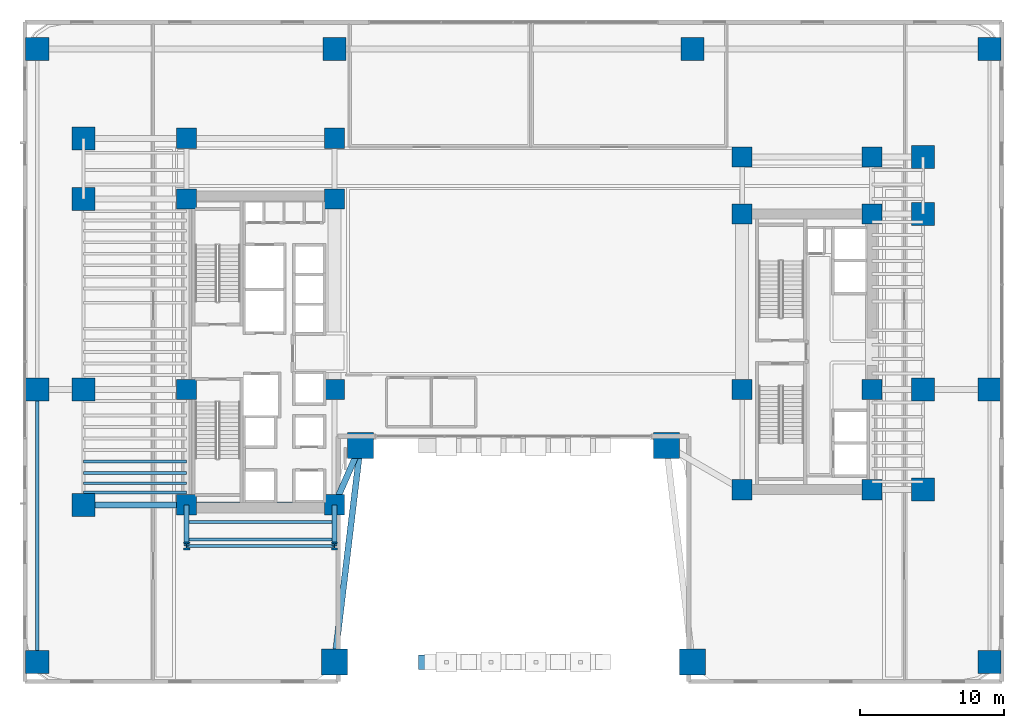
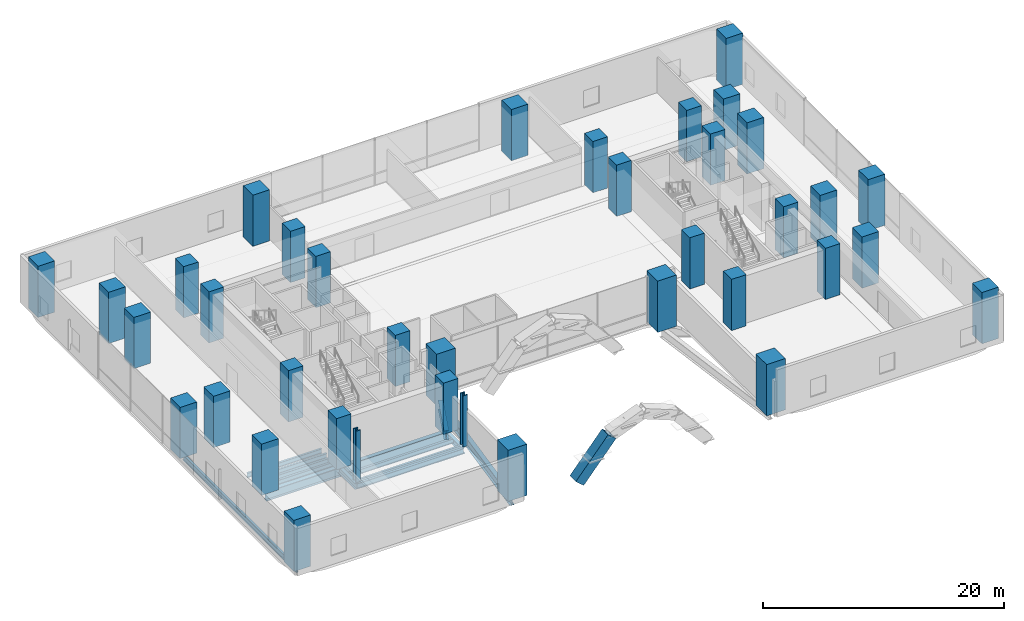
# One storey, part 1 of 39: 38 columns, 14 beams, 1 member.
"""IFC4 building model written with IfcOpenShell, lengths in metres."""

from ifc_helpers import new_model, si_unit, direction, frame, origin, origin_2d, place, context, subcontext, project, spatial, rectangle, hollow_rectangle, i_section, extrude, source, transform, mapped, material, material_profile, profile_set, type_object, element, save


model = new_model("IFC4")

# Units and contexts
model_context = context("Model", 3, precision=1e-05, world=origin(), true_north=direction((0.0, 1.0)))
body_context = subcontext(model_context, "Body", "Model", "MODEL_VIEW")
ifc_project = project(units=[si_unit("LENGTHUNIT", "METRE"), si_unit("AREAUNIT", "SQUARE_METRE"), si_unit("VOLUMEUNIT", "CUBIC_METRE"), si_unit("PLANEANGLEUNIT", "RADIAN"), si_unit("MASSUNIT", "GRAM", prefix="KILO")], contexts=[model_context])

# Site, building, storey
site_placement = place(None, origin())
site = spatial("IfcSite", under=ifc_project, at=site_placement, CompositionType="ELEMENT")
building_placement = place(site_placement, origin())
building = spatial("IfcBuilding", under=site, at=building_placement, Name="Valdorenza Pilgrim Sanctuary Tower", CompositionType="ELEMENT")
storey_placement = place(building_placement, frame((0.0, 0.0, 15.60009765625)))
storey = spatial("IfcBuildingStorey", under=building, at=storey_placement, Name="L03", CompositionType="ELEMENT", Elevation=15.60009765625)

# Columns
ifc_material_1 = material(Name="Concrete C60/75", Category="concrete")
ifc_material_profile_1 = material_profile(ifc_material_1, rectangle(XDim=1.60009765625, YDim=1.60009765625, at=origin_2d()), Name="RC 1600x1600")
ifc_profile_set_1 = profile_set([ifc_material_profile_1], Name="Concrete C60/75")
column_type_1 = type_object("IfcColumnType", Name="COL-POD-1600", PredefinedType="COLUMN", material=ifc_profile_set_1)
shared_shape_1 = source(origin(), body_context, "Body", "SweptSolid", [
    extrude(rectangle(XDim=1.60009765625, YDim=1.60009765625, at=origin_2d()), origin(), (0.0, 0.0, 1.0), 5.199951171875),
])
for number, where, z_axis, x_axis, name in (
    (1, (-29.800048828125, -10.60009765625, 0.0), (0.0, 0.0, 1.0), (1.0, 0.0, 0.0), "L03 Perimeter Column WA-W-S1"),
    (2, (-29.800048828125, -2.60009765625, 0.0), (0.0, 0.0, 1.0), (1.0, 0.0, 0.0), "L03 Perimeter Column WA-W-M0"),
    (3, (-29.800048828125, 10.60009765625, 0.0), (0.0, 0.0, 1.0), (1.0, 0.0, 0.0), "L03 Perimeter Column WA-W-N1"),
    (4, (-29.800048828125, 14.800048828125, 0.0), (0.0, 0.0, 1.0), (1.0, 0.0, 0.0), "L03 Perimeter Column WA-W-N2"),
    (5, (28.39990234375, -9.550048828125, 0.0), (0.0, 0.0, 1.0), (1.0, 0.0, 0.0), "L03 Perimeter Column WB-E-S1"),
    (6, (28.39990234375, -2.60009765625, 0.0), (0.0, 0.0, 1.0), (1.0, 0.0, 0.0), "L03 Perimeter Column WB-E-M0"),
    (7, (28.39990234375, 9.550048828125, 0.0), (0.0, 0.0, 1.0), (1.0, 0.0, 0.0), "L03 Perimeter Column WB-E-N1"),
    (8, (28.39990234375, 13.5, 0.0), (0.0, 0.0, 1.0), (1.0, 0.0, 0.0), "L03 Perimeter Column WB-E-N2"),
    (9, (-33.0, -21.5, 0.0), (0.0, 0.0, 1.0), (1.0, 0.0, 0.0), "L03 Perimeter Column POD-SW"),
    (10, (-33.0, -2.60009765625, 0.0), (0.0, 0.0, 1.0), (1.0, 0.0, 0.0), "L03 Perimeter Column POD-MW"),
    (11, (-33.0, 21.0, 0.0), (0.0, 0.0, 1.0), (1.0, 0.0, 0.0), "L03 Perimeter Column POD-NW"),
    (12, (-12.39990234375, 21.0, 0.0), (0.0, 0.0, 1.0), (1.0, 0.0, 0.0), "L03 Perimeter Column POD-NCW"),
    (13, (12.39990234375, 21.0, 0.0), (0.0, 0.0, 1.0), (1.0, 0.0, 0.0), "L03 Perimeter Column POD-NCE"),
    (14, (33.0, 21.0, 0.0), (0.0, 0.0, 1.0), (1.0, 0.0, 0.0), "L03 Perimeter Column POD-NE"),
    (15, (33.0, -2.60009765625, 0.0), (0.0, 0.0, 1.0), (1.0, 0.0, 0.0), "L03 Perimeter Column POD-ME"),
    (16, (33.0, -21.5, 0.0), (0.0, 0.0, 1.0), (1.0, 0.0, 0.0), "L03 Perimeter Column POD-SE"),
):
    element("IfcColumn", number, at=place(storey_placement, frame(where, z_axis=z_axis, x_axis=x_axis)), inside=storey, type_object=column_type_1, Name=name, PredefinedType="COLUMN", context=body_context, shape_type="MappedRepresentation", body=[
        mapped(shared_shape_1, transform((0.0, 0.0, 0.0), x_axis=(1.0, 0.0, 0.0), y_axis=(0.0, 1.0, 0.0), z_axis=(0.0, 0.0, 1.0), scale=1.0)),
    ])
ifc_material_profile_2 = material_profile(ifc_material_1, rectangle(XDim=1.39990234375, YDim=1.39990234375, at=origin_2d()), Name="RC 1400x1400")
ifc_profile_set_2 = profile_set([ifc_material_profile_2], Name="Concrete C60/75")
column_type_2 = type_object("IfcColumnType", Name="COL-Z1-1400", PredefinedType="COLUMN", material=ifc_profile_set_2)
shared_shape_2 = source(origin(), body_context, "Body", "SweptSolid", [
    extrude(rectangle(XDim=1.39990234375, YDim=1.39990234375, at=origin_2d()), origin(), (0.0, 0.0, 1.0), 5.199951171875),
])
for number, where, z_axis, x_axis, name in (
    (17, (-22.64990234375, -10.60009765625, 0.0), (0.0, 0.0, 1.0), (1.0, 0.0, 0.0), "L03 Column CA-W-S1"),
    (18, (-12.39990234375, -10.60009765625, 0.0), (0.0, 0.0, 1.0), (1.0, 0.0, 0.0), "L03 Column CA-E-S1"),
    (19, (-22.64990234375, -2.60009765625, 0.0), (0.0, 0.0, 1.0), (1.0, 0.0, 0.0), "L03 Column CA-W-M0"),
    (20, (-12.39990234375, -2.60009765625, 0.0), (0.0, 0.0, 1.0), (1.0, 0.0, 0.0), "L03 Column CA-E-M0"),
    (21, (-22.64990234375, 10.60009765625, 0.0), (0.0, 0.0, 1.0), (1.0, 0.0, 0.0), "L03 Column CA-W-N1"),
    (22, (-12.39990234375, 10.60009765625, 0.0), (0.0, 0.0, 1.0), (1.0, 0.0, 0.0), "L03 Column CA-E-N1"),
    (23, (-22.64990234375, 14.800048828125, 0.0), (0.0, 0.0, 1.0), (1.0, 0.0, 0.0), "L03 Column CA-W-N2"),
    (24, (-12.39990234375, 14.800048828125, 0.0), (0.0, 0.0, 1.0), (1.0, 0.0, 0.0), "L03 Column CA-E-N2"),
    (25, (15.85009765625, -9.550048828125, 0.0), (0.0, 0.0, 1.0), (1.0, 0.0, 0.0), "L03 Column CB-W-S1"),
    (26, (24.85009765625, -9.550048828125, 0.0), (0.0, 0.0, 1.0), (1.0, 0.0, 0.0), "L03 Column CB-E-S1"),
    (27, (15.85009765625, -2.60009765625, 0.0), (0.0, 0.0, 1.0), (1.0, 0.0, 0.0), "L03 Column CB-W-M0"),
    (28, (24.85009765625, -2.60009765625, 0.0), (0.0, 0.0, 1.0), (1.0, 0.0, 0.0), "L03 Column CB-E-M0"),
    (29, (15.85009765625, 9.550048828125, 0.0), (0.0, 0.0, 1.0), (1.0, 0.0, 0.0), "L03 Column CB-W-N1"),
    (30, (24.85009765625, 9.550048828125, 0.0), (0.0, 0.0, 1.0), (1.0, 0.0, 0.0), "L03 Column CB-E-N1"),
    (31, (15.85009765625, 13.5, 0.0), (0.0, 0.0, 1.0), (1.0, 0.0, 0.0), "L03 Column CB-W-N2"),
    (32, (24.85009765625, 13.5, 0.0), (0.0, 0.0, 1.0), (1.0, 0.0, 0.0), "L03 Column CB-E-N2"),
):
    element("IfcColumn", number, at=place(storey_placement, frame(where, z_axis=z_axis, x_axis=x_axis)), inside=storey, type_object=column_type_2, Name=name, PredefinedType="COLUMN", context=body_context, shape_type="MappedRepresentation", body=[
        mapped(shared_shape_2, transform((0.0, 0.0, 0.0), x_axis=(1.0, 0.0, 0.0), y_axis=(0.0, 1.0, 0.0), z_axis=(0.0, 0.0, 1.0), scale=1.0)),
    ])
ifc_material_2 = material(Name="Steel ASTM A992 Grade 50", Category="steel")
ifc_material_profile_3 = material_profile(ifc_material_2, i_section(OverallWidth=0.44189453125, OverallDepth=0.531005859375, WebThickness=0.06591796875, FlangeThickness=0.105712890625, at=origin_2d()), Name="W14X605")
ifc_profile_set_3 = profile_set([ifc_material_profile_3], Name="Steel ASTM A992 Grade 50")
column_type_3 = type_object("IfcColumnType", Name="COL-STL-W605", PredefinedType="COLUMN", material=ifc_profile_set_3)
shared_shape_3 = source(origin(), body_context, "Body", "SweptSolid", [
    extrude(i_section(OverallWidth=0.44189453125, OverallDepth=0.531005859375, WebThickness=0.06591796875, FlangeThickness=0.105712890625, at=origin_2d()), origin(), (0.0, 0.0, 1.0), 5.199951171875),
])
for number, where, z_axis, x_axis, name in (
    (33, (-22.64990234375, -13.449951171875, 0.0), (0.0, 0.0, 1.0), (1.0, 0.0, 0.0), "L03 Column WA-S-W"),
    (34, (-12.39990234375, -13.449951171875, 0.0), (0.0, 0.0, 1.0), (1.0, 0.0, 0.0), "L03 Column WA-S-E"),
):
    element("IfcColumn", number, at=place(storey_placement, frame(where, z_axis=z_axis, x_axis=x_axis)), inside=storey, type_object=column_type_3, Name=name, PredefinedType="COLUMN", context=body_context, shape_type="MappedRepresentation", body=[
        mapped(shared_shape_3, transform((0.0, 0.0, 0.0), x_axis=(1.0, 0.0, 0.0), y_axis=(0.0, 1.0, 0.0), z_axis=(0.0, 0.0, 1.0), scale=1.0)),
    ])
ifc_material_profile_4 = material_profile(ifc_material_1, rectangle(XDim=1.800048828125, YDim=1.800048828125, at=origin_2d()), Name="RC 1800x1800")
ifc_profile_set_4 = profile_set([ifc_material_profile_4], Name="Concrete C60/75")
column_type_4 = type_object("IfcColumnType", Name="COL-ARCH-1800", PredefinedType="COLUMN", material=ifc_profile_set_4)
shared_shape_4 = source(origin(), body_context, "Body", "SweptSolid", [
    extrude(rectangle(XDim=1.800048828125, YDim=1.800048828125, at=origin_2d()), origin(), (0.0, 0.0, 1.0), 5.199951171875),
])
for number, where, z_axis, x_axis, name in (
    (35, (-12.39990234375, -21.5, 0.0), (0.0, 0.0, 1.0), (1.0, 0.0, 0.0), "L03 Perimeter Column ARCH-PIER-SW"),
    (36, (-10.60009765625, -6.5, 0.0), (0.0, 0.0, 1.0), (1.0, 0.0, 0.0), "L03 Perimeter Column ARCH-PIER-NW"),
    (37, (12.39990234375, -21.5, 0.0), (0.0, 0.0, 1.0), (1.0, 0.0, 0.0), "L03 Perimeter Column ARCH-PIER-SE"),
    (38, (10.60009765625, -6.5, 0.0), (0.0, 0.0, 1.0), (1.0, 0.0, 0.0), "L03 Perimeter Column ARCH-PIER-NE"),
):
    element("IfcColumn", number, at=place(storey_placement, frame(where, z_axis=z_axis, x_axis=x_axis)), inside=storey, type_object=column_type_4, Name=name, PredefinedType="COLUMN", context=body_context, shape_type="MappedRepresentation", body=[
        mapped(shared_shape_4, transform((0.0, 0.0, 0.0), x_axis=(1.0, 0.0, 0.0), y_axis=(0.0, 1.0, 0.0), z_axis=(0.0, 0.0, 1.0), scale=1.0)),
    ])

# Beams
ifc_material_profile_5 = material_profile(ifc_material_2, i_section(OverallWidth=0.423095703125, OverallDepth=0.947998046875, WebThickness=0.02392578125, FlangeThickness=0.042724609375, at=origin_2d()), Name="W36X302")
ifc_profile_set_5 = profile_set([ifc_material_profile_5], Name="Steel ASTM A992 Grade 50")
beam_type_1 = type_object("IfcBeamType", Name="STR-BM-GRD-W36A", PredefinedType="BEAM", material=ifc_profile_set_5)
shared_shape_5 = source(origin(), body_context, "Body", "SweptSolid", [
    extrude(i_section(OverallWidth=0.423095703125, OverallDepth=0.947998046875, WebThickness=0.02392578125, FlangeThickness=0.042724609375, at=origin_2d()), origin(), (0.0, 0.0, 1.0), 7.150146484375),
])
beam_1_placement = place(storey_placement, frame((-29.800048828125, -10.60009765625, -0.754150390625), z_axis=(1.0, 0.0, 0.0), x_axis=(0.0, 1.0, 0.0)))
element("IfcBeam", 39, at=beam_1_placement, inside=storey, type_object=beam_type_1, Name="L03 Floor Girder WA-XW-S1", PredefinedType="BEAM", context=body_context, shape_type="MappedRepresentation", body=[
    mapped(shared_shape_5, transform((0.0, 0.0, 0.0), x_axis=(1.0, 0.0, 0.0), y_axis=(0.0, 1.0, 0.0), z_axis=(0.0, 0.0, 1.0), scale=1.0)),
])
shared_shape_6 = source(origin(), body_context, "Body", "SweptSolid", [
    extrude(i_section(OverallWidth=0.423095703125, OverallDepth=0.947998046875, WebThickness=0.02392578125, FlangeThickness=0.042724609375, at=origin_2d()), origin(), (0.0, 0.0, 1.0), 10.25),
])
beam_2_placement = place(storey_placement, frame((-22.64990234375, -10.60009765625, -0.754150390625), z_axis=(1.0, 0.0, 0.0), x_axis=(0.0, 1.0, 0.0)))
element("IfcBeam", 40, at=beam_2_placement, inside=storey, type_object=beam_type_1, Name="L03 Floor Girder CA-XC-S1", PredefinedType="BEAM", context=body_context, shape_type="MappedRepresentation", body=[
    mapped(shared_shape_6, transform((0.0, 0.0, 0.0), x_axis=(1.0, 0.0, 0.0), y_axis=(0.0, 1.0, 0.0), z_axis=(0.0, 0.0, 1.0), scale=1.0)),
])
ifc_material_profile_6 = material_profile(ifc_material_2, i_section(OverallWidth=0.214111328125, OverallDepth=0.549072265625, WebThickness=0.0146484375, FlangeThickness=0.023681640625, at=origin_2d()), Name="W21X93")
ifc_profile_set_6 = profile_set([ifc_material_profile_6], Name="Steel ASTM A992 Grade 50")
beam_type_2 = type_object("IfcBeamType", Name="STR-BM-SPN-W21A", PredefinedType="SPANDREL", material=ifc_profile_set_6)
shared_shape_7 = source(origin(), body_context, "Body", "SweptSolid", [
    extrude(i_section(OverallWidth=0.214111328125, OverallDepth=0.549072265625, WebThickness=0.0146484375, FlangeThickness=0.023681640625, at=origin_2d()), origin(), (0.0, 0.0, 1.0), 10.25),
])
beam_3_placement = place(storey_placement, frame((-22.64990234375, -13.449951171875, -0.5546875), z_axis=(1.0, 0.0, 0.0), x_axis=(0.0, 1.0, 0.0)))
element("IfcBeam", 41, at=beam_3_placement, inside=storey, type_object=beam_type_2, Name="L03 South Spandrel WA-S-TIE", PredefinedType="SPANDREL", context=body_context, shape_type="MappedRepresentation", body=[
    mapped(shared_shape_7, transform((0.0, 0.0, 0.0), x_axis=(1.0, 0.0, 0.0), y_axis=(0.0, 1.0, 0.0), z_axis=(0.0, 0.0, 1.0), scale=1.0)),
])
ifc_material_profile_7 = material_profile(ifc_material_2, i_section(OverallWidth=0.323974609375, OverallDepth=0.611083984375, WebThickness=0.0126953125, FlangeThickness=0.01904296875, at=origin_2d()), Name="W24X104")
ifc_profile_set_7 = profile_set([ifc_material_profile_7], Name="Steel ASTM A992 Grade 50")
beam_type_3 = type_object("IfcBeamType", Name="STR-BM-GRD-W24B", PredefinedType="BEAM", material=ifc_profile_set_7)
shared_shape_8 = source(origin(), body_context, "Body", "SweptSolid", [
    extrude(i_section(OverallWidth=0.323974609375, OverallDepth=0.611083984375, WebThickness=0.0126953125, FlangeThickness=0.01904296875, at=origin_2d()), origin(), (0.0, 0.0, 1.0), 2.849853515625),
])
for number, where, z_axis, x_axis, name in (
    (42, (-22.64990234375, -13.449951171875, -0.585693359375), (0.0, 1.0, 0.0), (-1.0, 0.0, 0.0), "L03 Floor Girder WA-S-LW"),
    (43, (-12.39990234375, -13.449951171875, -0.585693359375), (0.0, 1.0, 0.0), (-1.0, 0.0, 0.0), "L03 Floor Girder WA-S-LE"),
):
    element("IfcBeam", number, at=place(storey_placement, frame(where, z_axis=z_axis, x_axis=x_axis)), inside=storey, type_object=beam_type_3, Name=name, PredefinedType="BEAM", context=body_context, shape_type="MappedRepresentation", body=[
        mapped(shared_shape_8, transform((0.0, 0.0, 0.0), x_axis=(1.0, 0.0, 0.0), y_axis=(0.0, 1.0, 0.0), z_axis=(0.0, 0.0, 1.0), scale=1.0)),
    ])
ifc_material_profile_8 = material_profile(ifc_material_2, i_section(OverallWidth=0.193115234375, OverallDepth=0.466064453125, WebThickness=0.011474609375, FlangeThickness=0.01904296875, at=origin_2d()), Name="W18X65")
ifc_profile_set_8 = profile_set([ifc_material_profile_8], Name="Steel ASTM A992 Grade 50")
beam_type_4 = type_object("IfcBeamType", Name="STR-BM-JST-W18A", PredefinedType="JOIST", material=ifc_profile_set_8)
shared_shape_9 = source(origin(), body_context, "Body", "SweptSolid", [
    extrude(i_section(OverallWidth=0.193115234375, OverallDepth=0.466064453125, WebThickness=0.011474609375, FlangeThickness=0.01904296875, at=origin_2d()), origin(), (0.0, 0.0, 1.0), 10.25),
])
for number, where, z_axis, x_axis, name in (
    (44, (-22.64990234375, -13.0, -0.51318359375), (1.0, 0.0, 0.0), (0.0, 1.0, 0.0), "L03 Composite Floor Joist JST-WAS-1"),
    (45, (-22.64990234375, -11.800048828125, -0.51318359375), (1.0, 0.0, 0.0), (0.0, 1.0, 0.0), "L03 Composite Floor Joist JST-WAS-2"),
):
    element("IfcBeam", number, at=place(storey_placement, frame(where, z_axis=z_axis, x_axis=x_axis)), inside=storey, type_object=beam_type_4, Name=name, PredefinedType="JOIST", context=body_context, shape_type="MappedRepresentation", body=[
        mapped(shared_shape_9, transform((0.0, 0.0, 0.0), x_axis=(1.0, 0.0, 0.0), y_axis=(0.0, 1.0, 0.0), z_axis=(0.0, 0.0, 1.0), scale=1.0)),
    ])
shared_shape_10 = source(origin(), body_context, "Body", "SweptSolid", [
    extrude(i_section(OverallWidth=0.193115234375, OverallDepth=0.466064453125, WebThickness=0.011474609375, FlangeThickness=0.01904296875, at=origin_2d()), origin(), (0.0, 0.0, 1.0), 7.150146484375),
])
for number, where, z_axis, x_axis, name in (
    (46, (-29.800048828125, -9.75, -0.51318359375), (1.0, 0.0, 0.0), (0.0, 1.0, 0.0), "L03 Composite Floor Joist JST-WA-1"),
    (47, (-29.800048828125, -9.10009765625, -0.51318359375), (1.0, 0.0, 0.0), (0.0, 1.0, 0.0), "L03 Composite Floor Joist JST-WA-2"),
    (48, (-29.800048828125, -8.39990234375, -0.51318359375), (1.0, 0.0, 0.0), (0.0, 1.0, 0.0), "L03 Composite Floor Joist JST-WA-3"),
    (49, (-29.800048828125, -7.60009765625, -0.51318359375), (1.0, 0.0, 0.0), (0.0, 1.0, 0.0), "L03 Composite Floor Joist JST-WA-4"),
):
    element("IfcBeam", number, at=place(storey_placement, frame(where, z_axis=z_axis, x_axis=x_axis)), inside=storey, type_object=beam_type_4, Name=name, PredefinedType="JOIST", context=body_context, shape_type="MappedRepresentation", body=[
        mapped(shared_shape_10, transform((0.0, 0.0, 0.0), x_axis=(1.0, 0.0, 0.0), y_axis=(0.0, 1.0, 0.0), z_axis=(0.0, 0.0, 1.0), scale=1.0)),
    ])
shared_shape_11 = source(origin(), body_context, "Body", "SweptSolid", [
    extrude(i_section(OverallWidth=0.214111328125, OverallDepth=0.549072265625, WebThickness=0.0146484375, FlangeThickness=0.023681640625, at=origin_2d()), origin(), (0.0, 0.0, 1.0), 18.89990234375),
])
beam_4_placement = place(storey_placement, frame((-33.0, -21.5, -0.5546875), z_axis=(0.0, 1.0, 0.0), x_axis=(-1.0, 0.0, 0.0)))
element("IfcBeam", 50, at=beam_4_placement, inside=storey, type_object=beam_type_2, Name="L03 Floor Girder POD-SPN-WS", PredefinedType="SPANDREL", context=body_context, shape_type="MappedRepresentation", body=[
    mapped(shared_shape_11, transform((0.0, 0.0, 0.0), x_axis=(1.0, 0.0, 0.0), y_axis=(0.0, 1.0, 0.0), z_axis=(0.0, 0.0, 1.0), scale=1.0)),
])
shared_shape_12 = source(origin(), body_context, "Body", "SweptSolid", [
    extrude(i_section(OverallWidth=0.423095703125, OverallDepth=0.947998046875, WebThickness=0.02392578125, FlangeThickness=0.042724609375, at=origin_2d()), origin(), (0.0, 0.0, 1.0), 15.107666015625),
])
beam_5_placement = place(storey_placement, frame((-12.39990234375, -21.5, -0.754150390625), z_axis=(0.119132476027, 0.992878367755, 0.0), x_axis=(-0.992878367755, 0.119132476027, 0.0)))
element("IfcBeam", 51, at=beam_5_placement, inside=storey, type_object=beam_type_1, Name="L03 Floor Girder POD-ARCH-W", PredefinedType="BEAM", context=body_context, shape_type="MappedRepresentation", body=[
    mapped(shared_shape_12, transform((0.0, 0.0, 0.0), x_axis=(1.0, 0.0, 0.0), y_axis=(0.0, 1.0, 0.0), z_axis=(0.0, 0.0, 1.0), scale=1.0)),
])
shared_shape_13 = source(origin(), body_context, "Body", "SweptSolid", [
    extrude(i_section(OverallWidth=0.423095703125, OverallDepth=0.947998046875, WebThickness=0.02392578125, FlangeThickness=0.042724609375, at=origin_2d()), origin(), (0.0, 0.0, 1.0), 4.477783203125),
])
beam_6_placement = place(storey_placement, frame((-10.60009765625, -6.5, -0.754150390625), z_axis=(-0.40194546398, -0.91566360853, 0.0), x_axis=(0.91566360853, -0.40194546398, 0.0)))
element("IfcBeam", 52, at=beam_6_placement, inside=storey, type_object=beam_type_1, Name="L03 Floor Girder POD-ARCH-N", PredefinedType="BEAM", context=body_context, shape_type="MappedRepresentation", body=[
    mapped(shared_shape_13, transform((0.0, 0.0, 0.0), x_axis=(1.0, 0.0, 0.0), y_axis=(0.0, 1.0, 0.0), z_axis=(0.0, 0.0, 1.0), scale=1.0)),
])

# Member
ifc_material_3 = material(Name="Steel ASTM A572 Grade 42", Category="steel")
ifc_material_profile_9 = material_profile(ifc_material_3, hollow_rectangle(XDim=1.0, YDim=1.0, WallThickness=0.080078125, at=origin_2d()), Name="BOX 1000x1000x80")
ifc_profile_set_9 = profile_set([ifc_material_profile_9], Name="Steel ASTM A572 Grade 42")
member_type = type_object("IfcMemberType", Name="STR-MB-ARCH-RIB", PredefinedType="CHORD", material=ifc_profile_set_9)
shared_shape_14 = source(origin(), body_context, "Body", "SweptSolid", [
    extrude(hollow_rectangle(XDim=1.0, YDim=1.0, WallThickness=0.080078125, at=origin_2d()), origin(), (0.0, 0.0, 1.0), 4.807861328125),
])
member_placement = place(storey_placement, frame((-6.199951171875, -21.5, -0.900146484375), z_axis=(0.644753207786, 0.0, 0.764390803875), x_axis=(0.0, 1.0, 0.0)))
element("IfcMember", 53, at=member_placement, inside=storey, type_object=member_type, Name="Parabolic Portal Arch Rib SOUTH Seg 3", PredefinedType="CHORD", context=body_context, shape_type="MappedRepresentation", body=[
    mapped(shared_shape_14, transform((0.0, 0.0, 0.0), x_axis=(1.0, 0.0, 0.0), y_axis=(0.0, 1.0, 0.0), z_axis=(0.0, 0.0, 1.0), scale=1.0)),
])

save(model, "model.ifc")
